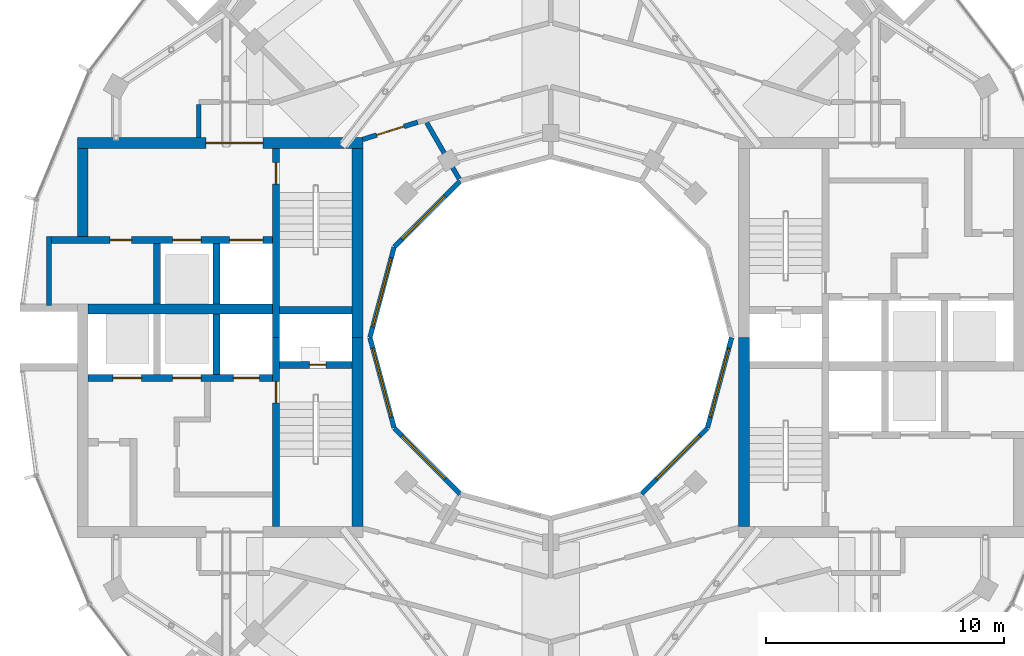
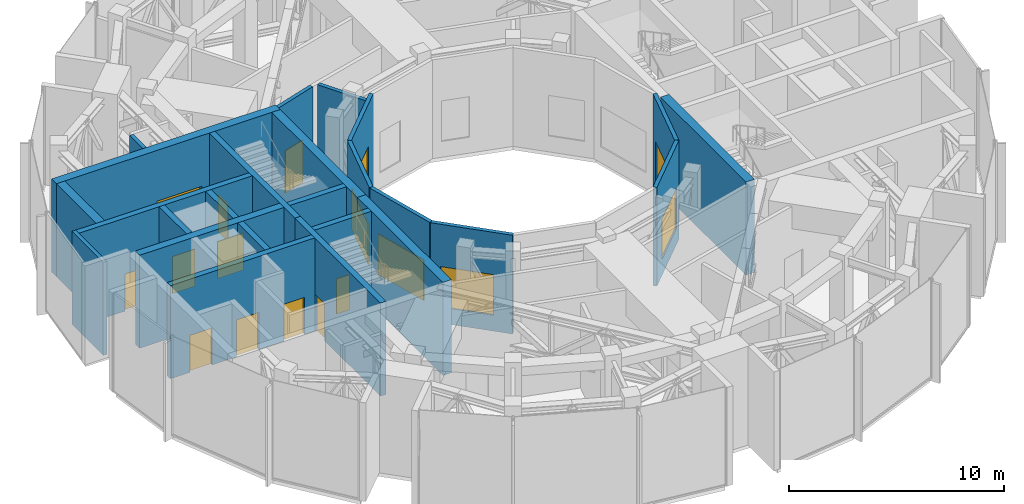
# One storey, part 12 of 17: 25 walls, 11 doors, 6 windows, 17 openings.
"""IFC4 building model written with IfcOpenShell, lengths in metres."""

import ifcopenshell
import ifcopenshell.guid

model = None  # the IFC model being written
_history = None  # IfcOwnerHistory: only IFC2X3 demands one
_inside = {}  # id of a spatial element -> (the spatial element, [elements in it])
_under = {}  # id of a project, library or spatial element -> (it, [spatial elements below it])
_declared = {}  # id of a project -> (the project, [libraries it declares])
_typed = {}  # id of a type object -> (the type object, [elements of that type])
_made_of = {}  # id of a material, layer set ... -> (it, [elements and type objects made of it])


def new_model(schema):
    """Start an empty IFC model of exactly this schema.

    Asked for "IFC4X3", IfcOpenShell would pick the latest addendum, in which some entities
    have other attributes; the version numbers below select the first issue.
    IFC2X3 requires an IfcOwnerHistory on every rooted entity: one is made here for all.
    """
    global model, _history
    if schema == "IFC4X3":
        model = ifcopenshell.file(schema_version=(4, 3, 0, 0))
    else:
        model = ifcopenshell.file(schema=schema)
    _inside.clear()
    _under.clear()
    _declared.clear()
    _typed.clear()
    _made_of.clear()
    _history = None
    if model.schema == "IFC2X3":
        org = make("IfcOrganization", Name="unknown")
        user = make(
            "IfcPersonAndOrganization",
            ThePerson=make("IfcPerson", FamilyName="unknown"),
            TheOrganization=org,
        )
        app = make(
            "IfcApplication",
            ApplicationDeveloper=org,
            Version="unknown",
            ApplicationFullName="unknown",
            ApplicationIdentifier="unknown",
        )
        _history = make(
            "IfcOwnerHistory",
            OwningUser=user,
            OwningApplication=app,
            ChangeAction="ADDED",
            CreationDate=0,
        )
    return model


def make(cls, **values):
    """One entity of the class cls with the attributes given. An attribute that is None is left unset."""
    return model.create_entity(
        cls, **{name: value for name, value in values.items() if value is not None}
    )


def rooted(cls, **values):
    """An entity with a GlobalId (a new one), such as an element, a storey or a relation."""
    return make(cls, GlobalId=ifcopenshell.guid.new(), OwnerHistory=_history, **values)


def si_unit(unit_type, name, prefix=None):
    """IfcSIUnit, for example si_unit("LENGTHUNIT", "METRE", prefix="MILLI")."""
    return make("IfcSIUnit", UnitType=unit_type, Prefix=prefix, Name=name)


def assignment(units):
    """IfcUnitAssignment: the units of a project."""
    return None if units is None else make("IfcUnitAssignment", Units=units)


def point(xyz):
    """IfcCartesianPoint."""
    return None if xyz is None else make("IfcCartesianPoint", Coordinates=xyz)


def direction(xyz):
    """IfcDirection."""
    return None if xyz is None else make("IfcDirection", DirectionRatios=xyz)


def frame(location, z_axis=None, x_axis=None):
    """IfcAxis2Placement3D, a coordinate frame: its origin and axes. An axis left out is left unset."""
    return make(
        "IfcAxis2Placement3D",
        Location=point(location),
        Axis=direction(z_axis),
        RefDirection=direction(x_axis),
    )


def frame_2d(location, x_axis=None):
    """IfcAxis2Placement2D, a coordinate frame in the plane: its origin and x axis."""
    return make(
        "IfcAxis2Placement2D", Location=point(location), RefDirection=direction(x_axis)
    )


def origin():
    """The frame at (0, 0, 0) with its axes left unset."""
    return frame((0.0, 0.0, 0.0))


def place(relative_to, where):
    """IfcLocalPlacement: puts the frame where relative to a parent placement (None: the world)."""
    return make(
        "IfcLocalPlacement", PlacementRelTo=relative_to, RelativePlacement=where
    )


def context(
    kind, dimensions, precision=None, world=None, true_north=None, identifier=None
):
    """IfcGeometricRepresentationContext, for example the 3D "Model" context."""
    return make(
        "IfcGeometricRepresentationContext",
        ContextIdentifier=identifier,
        ContextType=kind,
        CoordinateSpaceDimension=dimensions,
        Precision=precision,
        WorldCoordinateSystem=world,
        TrueNorth=true_north,
    )


def subcontext(parent, identifier, kind, view, scale=None):
    """IfcGeometricRepresentationSubContext, for example "Body" below "Model"."""
    return make(
        "IfcGeometricRepresentationSubContext",
        ContextIdentifier=identifier,
        ContextType=kind,
        ParentContext=parent,
        TargetScale=scale,
        TargetView=view,
    )


def project(units=None, contexts=None):
    """IfcProject with its units and contexts."""
    return rooted(
        "IfcProject",
        Name="project",
        RepresentationContexts=contexts,
        UnitsInContext=assignment(units),
    )


def spatial(cls, under=None, at=None, **own):
    """A site, building, storey or space (cls), placed at a placement, below another one or the project."""
    s = rooted(cls, ObjectPlacement=at, **own)
    if under is not None:
        _under.setdefault(under.id(), (under, []))[1].append(s)
    return s


def profile(cls, at=None, kind="AREA", **sizes):
    """A parametric profile (cls). Its sizes go by their IFC names, for example OverallWidth=200.0."""
    return make(cls, ProfileType=kind, Position=at, **sizes)


def rectangle(**sizes):
    """IfcRectangleProfileDef."""
    return profile("IfcRectangleProfileDef", **sizes)


def extrude(swept, where, along, depth):
    """IfcExtrudedAreaSolid: the profile swept, set in the frame where, extruded along a direction by depth."""
    return make(
        "IfcExtrudedAreaSolid",
        SweptArea=swept,
        Position=where,
        ExtrudedDirection=direction(along),
        Depth=depth,
    )


def shape(context_of_items, identifier, shape_type, items):
    """IfcShapeRepresentation: the items that make up one representation, for example the "Body"."""
    return make(
        "IfcShapeRepresentation",
        ContextOfItems=context_of_items,
        RepresentationIdentifier=identifier,
        RepresentationType=shape_type,
        Items=items,
    )


def material(Name=None, Category=None):
    """IfcMaterial."""
    return make("IfcMaterial", Name=Name, Category=Category)


def layer(
    of_material, thickness, ventilated=None, Name=None, Category=None, Priority=None
):
    """IfcMaterialLayer: one layer of a wall or slab, of a material (None: an air gap)."""
    return make(
        "IfcMaterialLayer",
        Material=of_material,
        LayerThickness=thickness,
        IsVentilated=ventilated,
        Name=Name,
        Category=Category,
        Priority=Priority,
    )


def layer_set(layers, Name=None):
    """IfcMaterialLayerSet."""
    return make("IfcMaterialLayerSet", MaterialLayers=layers, LayerSetName=Name)


def made_of(thing, what):
    """Note that an element or type object is made of a material, layer set ...; save() writes the relation."""
    if what is not None:
        _made_of.setdefault(what.id(), (what, []))[1].append(thing)
    return thing


def type_object(cls, material=None, **own):
    """A type object (cls), such as IfcWallType, which elements share."""
    return made_of(rooted(cls, **own), material)


def element(
    cls,
    number,
    at=None,
    inside=None,
    cuts=None,
    type_object=None,
    material=None,
    context=None,
    identifier="Body",
    shape_type=None,
    held_by="IfcProductDefinitionShape",
    body=None,
    shapes=None,
    **own,
):
    """One element of the class cls, such as IfcWall. Its Tag is "e" and its number.

    at: its placement. inside: the storey or other place that contains it. cuts: it is an
    opening in that element (IfcRelVoidsElement). A single representation is given by context,
    identifier, shape_type and body (its items); several are given by shapes. held_by: the class
    of the entity that holds the representations. save() writes the other relations.
    """
    e = rooted(cls, Tag="e%d" % number, ObjectPlacement=at, **own)
    if body is not None:
        shapes = [shape(context, identifier, shape_type, body)]
    if shapes is not None:
        e.Representation = make(held_by, Representations=shapes)
    if inside is not None:
        _inside.setdefault(inside.id(), (inside, []))[1].append(e)
    if cuts is not None:
        rooted(
            "IfcRelVoidsElement", RelatingBuildingElement=cuts, RelatedOpeningElement=e
        )
    if type_object is not None:
        _typed.setdefault(type_object.id(), (type_object, []))[1].append(e)
    return made_of(e, material)


def fill(opening, filler):
    """IfcRelFillsElement: the door or window that sits in an opening."""
    return rooted(
        "IfcRelFillsElement",
        RelatingOpeningElement=opening,
        RelatedBuildingElement=filler,
    )


def aggregate(whole, parts):
    """IfcRelAggregates: a whole, such as a stair, and the parts it consists of."""
    return rooted("IfcRelAggregates", RelatingObject=whole, RelatedObjects=parts)


def save(model, path):
    """Write the relations noted so far, then the file.

    IfcRelAggregates (storeys below a building ...), IfcRelContainedInSpatialStructure (elements
    in a storey), IfcRelDefinesByType, IfcRelAssociatesMaterial and IfcRelDeclares: one each for
    every whole, place, type object, material and project.
    """
    for whole, parts in _under.values():
        aggregate(whole, parts)
    for where, things in _inside.values():
        rooted(
            "IfcRelContainedInSpatialStructure",
            RelatedElements=things,
            RelatingStructure=where,
        )
    for kind, things in _typed.values():
        rooted("IfcRelDefinesByType", RelatedObjects=things, RelatingType=kind)
    for what, things in _made_of.values():
        rooted("IfcRelAssociatesMaterial", RelatedObjects=things, RelatingMaterial=what)
    for by, libraries in _declared.values():
        rooted("IfcRelDeclares", RelatingContext=by, RelatedDefinitions=libraries)
    model.write(path)


model = new_model("IFC4")

# Units and contexts
model_context = context("Model", 3, precision=1e-05, world=origin(), true_north=direction((0.0, 1.0)))
body_context = subcontext(model_context, "Body", "Model", "MODEL_VIEW")
ifc_project = project(units=[si_unit("LENGTHUNIT", "METRE"), si_unit("AREAUNIT", "SQUARE_METRE"), si_unit("VOLUMEUNIT", "CUBIC_METRE"), si_unit("PLANEANGLEUNIT", "RADIAN"), si_unit("MASSUNIT", "GRAM", prefix="KILO")], contexts=[model_context])

# Site, building, storey
site_placement = place(None, origin())
site = spatial("IfcSite", under=ifc_project, at=site_placement, CompositionType="ELEMENT")
building_placement = place(site_placement, origin())
building = spatial("IfcBuilding", under=site, at=building_placement, Name="Torre Brocal", CompositionType="ELEMENT")
storey_placement = place(building_placement, frame((0.0, 0.0, 309.300048828125)))
storey = spatial("IfcBuildingStorey", under=building, at=storey_placement, Name="L71", CompositionType="ELEMENT", Elevation=309.300048828125)

# Wall
ifc_material_1 = material(Name="Masonry block", Category="masonry")
ifc_layer_1 = layer(ifc_material_1, 0.199951171875)
ifc_layer_set_1 = layer_set([ifc_layer_1], Name="Masonry block")
wall_type_1 = type_object("IfcWallType", Name="CORE PARTITION 200", PredefinedType="PARTITIONING", material=ifc_layer_set_1)
wall_1_placement = place(storey_placement, frame((58.89990234375, 79.25, 0.0), z_axis=(0.0, 0.0, 1.0), x_axis=(0.0, -1.0, 0.0)))
element("IfcWall", 1, at=wall_1_placement, inside=storey, type_object=wall_type_1, Name="Wall CP200", PredefinedType="PARTITIONING", context=body_context, shape_type="SweptSolid", body=[
    extrude(rectangle(XDim=2.89990234375, YDim=0.199951171875, at=frame_2d((1.449951171875, 0.0))), origin(), (0.0, 0.0, 1.0), 5.280029296875),
])

# Wall, opening, door
ifc_material_2 = material(Name="Concrete C50", Category="concrete")
ifc_layer_2 = layer(ifc_material_2, 0.300048828125)
ifc_layer_set_2 = layer_set([ifc_layer_2], Name="Concrete C50")
wall_type_2 = type_object("IfcWallType", Name="CORE WALL 300 C50", PredefinedType="SHEAR", material=ifc_layer_set_2)
wall_2_placement = place(storey_placement, frame((68.449951171875, 75.0, 0.0), z_axis=(0.0, 0.0, 1.0), x_axis=(0.0, -1.0, 0.0)))
wall_2 = element("IfcWall", 2, at=wall_2_placement, inside=storey, type_object=wall_type_2, Name="Wall CW300-50", PredefinedType="SHEAR", context=body_context, shape_type="SweptSolid", body=[
    extrude(rectangle(XDim=7.949951171875, YDim=0.300048828125, at=frame_2d((3.97509765625, 0.0))), origin(), (0.0, 0.0, 1.0), 5.280029296875),
])
opening_1_placement = place(wall_2_placement, frame((1.85009765625, 0.0, 0.0)))
opening_1 = element("IfcOpeningElement", 3, at=opening_1_placement, cuts=wall_2, Name="Opening W-D02", PredefinedType="OPENING", context=body_context, shape_type="SweptSolid", body=[
    extrude(rectangle(XDim=0.89990234375, YDim=2.10009765625, at=frame_2d((0.449951171875, 1.050048828125))), frame((0.0, 0.159912109375, 0.0), z_axis=(0.0, -1.0, 0.0), x_axis=(1.0, 0.0, 0.0)), (0.0, 0.0, 1.0), 0.320068359375),
])
ifc_material_3 = material(Name="Steel A653", Category="steel")
door_type_1 = type_object("IfcDoorType", Name="STAIR DOOR FD120 900X2100", OperationType="SINGLE_SWING_RIGHT", PredefinedType="DOOR", material=ifc_material_3)
door_1_placement = place(opening_1_placement, origin())
door_1 = element("IfcDoor", 4, at=door_1_placement, inside=storey, type_object=door_type_1, Name="Door W-D02", OperationType="SINGLE_SWING_LEFT", OverallHeight=2.10009765625, OverallWidth=0.89990234375, PredefinedType="DOOR", context=body_context, shape_type="SweptSolid", body=[
    extrude(rectangle(XDim=0.89990234375, YDim=2.10009765625, at=frame_2d((0.449951171875, 1.050048828125))), frame((0.0, 0.02490234375, 0.0), z_axis=(0.0, -1.0, 0.0), x_axis=(1.0, 0.0, 0.0)), (0.0, 0.0, 1.0), 0.050048828125),
])
fill(opening_1, door_1)

wall_3_placement = place(storey_placement, frame((68.449951171875, 82.949951171875, 0.0), z_axis=(0.0, 0.0, 1.0), x_axis=(0.0, -1.0, 0.0)))
wall_3 = element("IfcWall", 5, at=wall_3_placement, inside=storey, type_object=wall_type_2, Name="Wall CW300-50", PredefinedType="SHEAR", context=body_context, shape_type="SweptSolid", body=[
    extrude(rectangle(XDim=7.949951171875, YDim=0.300048828125, at=frame_2d((3.97509765625, 0.0))), origin(), (0.0, 0.0, 1.0), 5.280029296875),
])
opening_2_placement = place(wall_3_placement, frame((0.60009765625, 0.0, 0.0)))
opening_2 = element("IfcOpeningElement", 6, at=opening_2_placement, cuts=wall_3, Name="Opening W-D03", PredefinedType="OPENING", context=body_context, shape_type="SweptSolid", body=[
    extrude(rectangle(XDim=0.89990234375, YDim=2.10009765625, at=frame_2d((0.449951171875, 1.050048828125))), frame((0.0, 0.159912109375, 0.0), z_axis=(0.0, -1.0, 0.0), x_axis=(1.0, 0.0, 0.0)), (0.0, 0.0, 1.0), 0.320068359375),
])
door_2_placement = place(opening_2_placement, origin())
door_2 = element("IfcDoor", 7, at=door_2_placement, inside=storey, type_object=door_type_1, Name="Door W-D03", OperationType="SINGLE_SWING_LEFT", OverallHeight=2.10009765625, OverallWidth=0.89990234375, PredefinedType="DOOR", context=body_context, shape_type="SweptSolid", body=[
    extrude(rectangle(XDim=0.89990234375, YDim=2.10009765625, at=frame_2d((0.449951171875, 1.050048828125))), frame((0.0, 0.02490234375, 0.0), z_axis=(0.0, -1.0, 0.0), x_axis=(1.0, 0.0, 0.0)), (0.0, 0.0, 1.0), 0.050048828125),
])
fill(opening_2, door_2)

wall_4_placement = place(storey_placement, frame((71.64990234375, 73.85009765625, 0.0), z_axis=(0.0, 0.0, 1.0), x_axis=(-1.0, 0.0, 0.0)))
wall_4 = element("IfcWall", 8, at=wall_4_placement, inside=storey, type_object=wall_type_2, Name="Wall CW300-50", PredefinedType="SHEAR", context=body_context, shape_type="SweptSolid", body=[
    extrude(rectangle(XDim=3.0498046875, YDim=0.300048828125, at=frame_2d((1.52490234375, 0.0))), origin(), (0.0, 0.0, 1.0), 5.280029296875),
])
opening_3_placement = place(wall_4_placement, frame((1.10009765625, 0.0, 0.0)))
opening_3 = element("IfcOpeningElement", 9, at=opening_3_placement, cuts=wall_4, Name="Opening W-D01", PredefinedType="OPENING", context=body_context, shape_type="SweptSolid", body=[
    extrude(rectangle(XDim=0.699951171875, YDim=2.0, at=frame_2d((0.35009765625, 1.0))), frame((0.0, 0.159912109375, 0.0), z_axis=(0.0, -1.0, 0.0), x_axis=(1.0, 0.0, 0.0)), (0.0, 0.0, 1.0), 0.320068359375),
])
ifc_material_4 = material(Name="Steel A653", Category="steel")
door_type_2 = type_object("IfcDoorType", Name="RISER DOOR FD120 700X2000", OperationType="SINGLE_SWING_LEFT", PredefinedType="DOOR", material=ifc_material_4)
door_3_placement = place(opening_3_placement, frame((0.699951171875, 0.0, 0.0), z_axis=(0.0, 0.0, 1.0), x_axis=(-1.0, 0.0, 0.0)))
door_3 = element("IfcDoor", 10, at=door_3_placement, inside=storey, type_object=door_type_2, Name="Door W-D01", OperationType="SINGLE_SWING_RIGHT", OverallHeight=2.0, OverallWidth=0.699951171875, PredefinedType="DOOR", context=body_context, shape_type="SweptSolid", body=[
    extrude(rectangle(XDim=0.699951171875, YDim=2.0, at=frame_2d((0.35009765625, 1.0))), frame((0.0, 0.02490234375, 0.0), z_axis=(0.0, -1.0, 0.0), x_axis=(1.0, 0.0, 0.0)), (0.0, 0.0, 1.0), 0.050048828125),
])
fill(opening_3, door_3)

# Wall
wall_5_placement = place(storey_placement, frame((71.64990234375, 76.14990234375, 0.0), z_axis=(0.0, 0.0, 1.0), x_axis=(-1.0, 0.0, 0.0)))
element("IfcWall", 11, at=wall_5_placement, inside=storey, type_object=wall_type_2, Name="Wall CW300-50", PredefinedType="SHEAR", context=body_context, shape_type="SweptSolid", body=[
    extrude(rectangle(XDim=3.0498046875, YDim=0.300048828125, at=frame_2d((1.52490234375, 0.0))), origin(), (0.0, 0.0, 1.0), 5.280029296875),
])

# Wall, openings, doors
wall_6_placement = place(storey_placement, frame((68.300048828125, 73.300048828125, 0.0), z_axis=(0.0, 0.0, 1.0), x_axis=(-1.0, 0.0, 0.0)))
wall_6 = element("IfcWall", 12, at=wall_6_placement, inside=storey, type_object=wall_type_2, Name="Wall CW300-50", PredefinedType="SHEAR", context=body_context, shape_type="SweptSolid", body=[
    extrude(rectangle(XDim=7.75, YDim=0.300048828125, at=frame_2d((3.875, 0.0))), origin(), (0.0, 0.0, 1.0), 5.280029296875),
])
opening_4_placement = place(wall_6_placement, frame((0.550048828125, 0.0, 0.0)))
opening_4 = element("IfcOpeningElement", 13, at=opening_4_placement, cuts=wall_6, Name="Opening LD", PredefinedType="OPENING", context=body_context, shape_type="SweptSolid", body=[
    extrude(rectangle(XDim=1.10009765625, YDim=2.10009765625, at=frame_2d((0.550048828125, 1.050048828125))), frame((0.0, 0.159912109375, 0.0), z_axis=(0.0, -1.0, 0.0), x_axis=(1.0, 0.0, 0.0)), (0.0, 0.0, 1.0), 0.320068359375),
])
opening_5_placement = place(wall_6_placement, frame((3.0, 0.0, 0.0)))
opening_5 = element("IfcOpeningElement", 14, at=opening_5_placement, cuts=wall_6, Name="Opening LD12", PredefinedType="OPENING", context=body_context, shape_type="SweptSolid", body=[
    extrude(rectangle(XDim=1.199951171875, YDim=2.10009765625, at=frame_2d((0.60009765625, 1.050048828125))), frame((0.0, 0.159912109375, 0.0), z_axis=(0.0, -1.0, 0.0), x_axis=(1.0, 0.0, 0.0)), (0.0, 0.0, 1.0), 0.320068359375),
])
opening_6_placement = place(wall_6_placement, frame((5.5, 0.0, 0.0)))
opening_6 = element("IfcOpeningElement", 15, at=opening_6_placement, cuts=wall_6, Name="Opening LD12", PredefinedType="OPENING", context=body_context, shape_type="SweptSolid", body=[
    extrude(rectangle(XDim=1.199951171875, YDim=2.10009765625, at=frame_2d((0.60009765625, 1.050048828125))), frame((0.0, 0.159912109375, 0.0), z_axis=(0.0, -1.0, 0.0), x_axis=(1.0, 0.0, 0.0)), (0.0, 0.0, 1.0), 0.320068359375),
])
ifc_material_5 = material(Name="Stainless steel AISI 316", Category="steel")
door_type_3 = type_object("IfcDoorType", Name="LIFT LANDING DOOR 1100X2100", OperationType="DOUBLE_DOOR_SLIDING", PredefinedType="DOOR", material=ifc_material_5)
door_4_placement = place(opening_4_placement, origin())
door_4 = element("IfcDoor", 16, at=door_4_placement, inside=storey, type_object=door_type_3, Name="Door LD", OperationType="DOUBLE_DOOR_SLIDING", OverallHeight=2.10009765625, OverallWidth=1.10009765625, PredefinedType="DOOR", context=body_context, shape_type="SweptSolid", body=[
    extrude(rectangle(XDim=1.10009765625, YDim=2.10009765625, at=frame_2d((0.550048828125, 1.050048828125))), frame((0.0, 0.02490234375, 0.0), z_axis=(0.0, -1.0, 0.0), x_axis=(1.0, 0.0, 0.0)), (0.0, 0.0, 1.0), 0.050048828125),
])
fill(opening_4, door_4)
ifc_material_6 = material(Name="Stainless steel AISI 316", Category="steel")
door_type_4 = type_object("IfcDoorType", Name="LIFT LANDING DOOR 1200X2100", OperationType="DOUBLE_DOOR_SLIDING", PredefinedType="DOOR", material=ifc_material_6)
door_5_placement = place(opening_5_placement, origin())
door_5 = element("IfcDoor", 17, at=door_5_placement, inside=storey, type_object=door_type_4, Name="Door LD12", OperationType="DOUBLE_DOOR_SLIDING", OverallHeight=2.10009765625, OverallWidth=1.199951171875, PredefinedType="DOOR", context=body_context, shape_type="SweptSolid", body=[
    extrude(rectangle(XDim=1.199951171875, YDim=2.10009765625, at=frame_2d((0.60009765625, 1.050048828125))), frame((0.0, 0.02490234375, 0.0), z_axis=(0.0, -1.0, 0.0), x_axis=(1.0, 0.0, 0.0)), (0.0, 0.0, 1.0), 0.050048828125),
])
fill(opening_5, door_5)
door_6_placement = place(opening_6_placement, origin())
door_6 = element("IfcDoor", 18, at=door_6_placement, inside=storey, type_object=door_type_4, Name="Door LD12", OperationType="DOUBLE_DOOR_SLIDING", OverallHeight=2.10009765625, OverallWidth=1.199951171875, PredefinedType="DOOR", context=body_context, shape_type="SweptSolid", body=[
    extrude(rectangle(XDim=1.199951171875, YDim=2.10009765625, at=frame_2d((0.60009765625, 1.050048828125))), frame((0.0, 0.02490234375, 0.0), z_axis=(0.0, -1.0, 0.0), x_axis=(1.0, 0.0, 0.0)), (0.0, 0.0, 1.0), 0.050048828125),
])
fill(opening_6, door_6)

wall_7_placement = place(storey_placement, frame((68.300048828125, 79.10009765625, 0.0), z_axis=(0.0, 0.0, 1.0), x_axis=(-1.0, 0.0, 0.0)))
wall_7 = element("IfcWall", 19, at=wall_7_placement, inside=storey, type_object=wall_type_2, Name="Wall CW300-50", PredefinedType="SHEAR", context=body_context, shape_type="SweptSolid", body=[
    extrude(rectangle(XDim=9.300048828125, YDim=0.300048828125, at=frame_2d((4.64990234375, 0.0))), origin(), (0.0, 0.0, 1.0), 5.280029296875),
])
opening_7_placement = place(wall_7_placement, frame((0.39990234375, 0.0, 0.0)))
opening_7 = element("IfcOpeningElement", 20, at=opening_7_placement, cuts=wall_7, Name="Opening LD14", PredefinedType="OPENING", context=body_context, shape_type="SweptSolid", body=[
    extrude(rectangle(XDim=1.39990234375, YDim=2.10009765625, at=frame_2d((0.699951171875, 1.050048828125))), frame((0.0, 0.159912109375, 0.0), z_axis=(0.0, -1.0, 0.0), x_axis=(1.0, 0.0, 0.0)), (0.0, 0.0, 1.0), 0.320068359375),
])
opening_8_placement = place(wall_7_placement, frame((3.0, 0.0, 0.0)))
opening_8 = element("IfcOpeningElement", 21, at=opening_8_placement, cuts=wall_7, Name="Opening LD12", PredefinedType="OPENING", context=body_context, shape_type="SweptSolid", body=[
    extrude(rectangle(XDim=1.199951171875, YDim=2.10009765625, at=frame_2d((0.60009765625, 1.050048828125))), frame((0.0, 0.159912109375, 0.0), z_axis=(0.0, -1.0, 0.0), x_axis=(1.0, 0.0, 0.0)), (0.0, 0.0, 1.0), 0.320068359375),
])
opening_9_placement = place(wall_7_placement, frame((5.925048828125, 0.0, 0.0)))
opening_9 = element("IfcOpeningElement", 22, at=opening_9_placement, cuts=wall_7, Name="Opening W-D04", PredefinedType="OPENING", context=body_context, shape_type="SweptSolid", body=[
    extrude(rectangle(XDim=0.89990234375, YDim=2.10009765625, at=frame_2d((0.449951171875, 1.050048828125))), frame((0.0, 0.159912109375, 0.0), z_axis=(0.0, -1.0, 0.0), x_axis=(1.0, 0.0, 0.0)), (0.0, 0.0, 1.0), 0.320068359375),
])
door_7_placement = place(opening_8_placement, origin())
door_7 = element("IfcDoor", 23, at=door_7_placement, inside=storey, type_object=door_type_4, Name="Door LD12", OperationType="DOUBLE_DOOR_SLIDING", OverallHeight=2.10009765625, OverallWidth=1.199951171875, PredefinedType="DOOR", context=body_context, shape_type="SweptSolid", body=[
    extrude(rectangle(XDim=1.199951171875, YDim=2.10009765625, at=frame_2d((0.60009765625, 1.050048828125))), frame((0.0, 0.02490234375, 0.0), z_axis=(0.0, -1.0, 0.0), x_axis=(1.0, 0.0, 0.0)), (0.0, 0.0, 1.0), 0.050048828125),
])
fill(opening_8, door_7)
ifc_material_7 = material(Name="Stainless steel AISI 316", Category="steel")
door_type_5 = type_object("IfcDoorType", Name="LIFT LANDING DOOR 1400X2100", OperationType="DOUBLE_DOOR_SLIDING", PredefinedType="DOOR", material=ifc_material_7)
door_8_placement = place(opening_7_placement, origin())
door_8 = element("IfcDoor", 24, at=door_8_placement, inside=storey, type_object=door_type_5, Name="Door LD14", OperationType="DOUBLE_DOOR_SLIDING", OverallHeight=2.10009765625, OverallWidth=1.39990234375, PredefinedType="DOOR", context=body_context, shape_type="SweptSolid", body=[
    extrude(rectangle(XDim=1.39990234375, YDim=2.10009765625, at=frame_2d((0.699951171875, 1.050048828125))), frame((0.0, 0.02490234375, 0.0), z_axis=(0.0, -1.0, 0.0), x_axis=(1.0, 0.0, 0.0)), (0.0, 0.0, 1.0), 0.050048828125),
])
fill(opening_7, door_8)
ifc_material_8 = material(Name="Steel A653", Category="steel")
door_type_6 = type_object("IfcDoorType", Name="ROOM DOOR FD30S 900X2100", OperationType="SINGLE_SWING_LEFT", PredefinedType="DOOR", material=ifc_material_8)
door_9_placement = place(opening_9_placement, origin())
door_9 = element("IfcDoor", 25, at=door_9_placement, inside=storey, type_object=door_type_6, Name="Door W-D04", OperationType="SINGLE_SWING_LEFT", OverallHeight=2.10009765625, OverallWidth=0.89990234375, PredefinedType="DOOR", context=body_context, shape_type="SweptSolid", body=[
    extrude(rectangle(XDim=0.89990234375, YDim=2.10009765625, at=frame_2d((0.449951171875, 1.050048828125))), frame((0.0, 0.02490234375, 0.0), z_axis=(0.0, -1.0, 0.0), x_axis=(1.0, 0.0, 0.0)), (0.0, 0.0, 1.0), 0.050048828125),
])
fill(opening_9, door_9)

# Walls
for number, where, z_axis, x_axis, name in (
    (26, (65.949951171875, 76.0, 0.0), (0.0, 0.0, 1.0), (0.0, -1.0, 0.0), "Wall CW300-50"),
    (27, (65.949951171875, 78.949951171875, 0.0), (0.0, 0.0, 1.0), (0.0, -1.0, 0.0), "Wall CW300-50"),
    (28, (63.449951171875, 78.949951171875, 0.0), (0.0, 0.0, 1.0), (0.0, -1.0, 0.0), "Wall CW300-50"),
):
    element("IfcWall", number, at=place(storey_placement, frame(where, z_axis=z_axis, x_axis=x_axis)), inside=storey, type_object=wall_type_2, Name=name, PredefinedType="SHEAR", context=body_context, shape_type="SweptSolid", body=[
        extrude(rectangle(XDim=2.550048828125, YDim=0.300048828125, at=frame_2d((1.27490234375, 0.0))), origin(), (0.0, 0.0, 1.0), 5.280029296875),
    ])
ifc_material_9 = material(Name="Concrete C50", Category="concrete")
ifc_layer_3 = layer(ifc_material_9, 0.39990234375)
ifc_layer_set_3 = layer_set([ifc_layer_3], Name="Concrete C50")
wall_type_3 = type_object("IfcWallType", Name="CORE WALL 400 C50", PredefinedType="SHEAR", material=ifc_layer_set_3)
wall_8_placement = place(storey_placement, frame((68.300048828125, 76.199951171875, 0.0), z_axis=(0.0, 0.0, 1.0), x_axis=(-1.0, 0.0, 0.0)))
element("IfcWall", 29, at=wall_8_placement, inside=storey, type_object=wall_type_3, Name="Wall CW400-50", PredefinedType="SHEAR", context=body_context, shape_type="SweptSolid", body=[
    extrude(rectangle(XDim=7.75, YDim=0.39990234375, at=frame_2d((3.875, 0.0))), origin(), (0.0, 0.0, 1.0), 5.280029296875),
])
ifc_material_10 = material(Name="Concrete C50", Category="concrete")
ifc_layer_4 = layer(ifc_material_10, 0.449951171875)
ifc_layer_set_4 = layer_set([ifc_layer_4], Name="Concrete C50")
wall_type_4 = type_object("IfcWallType", Name="CORE WALL 450 C50", PredefinedType="SHEAR", material=ifc_layer_set_4)
wall_9_placement = place(storey_placement, frame((88.125, 67.050048828125, 0.0), z_axis=(0.0, 0.0, 1.0), x_axis=(0.0, 1.0, 0.0)))
element("IfcWall", 30, at=wall_9_placement, inside=storey, type_object=wall_type_4, Name="Wall CW450-50", PredefinedType="SHEAR", context=body_context, shape_type="SweptSolid", body=[
    extrude(rectangle(XDim=7.949951171875, YDim=0.449951171875, at=frame_2d((3.97509765625, 0.0))), origin(), (0.0, 0.0, 1.0), 5.280029296875),
])

# Wall, opening, door
wall_10_placement = place(storey_placement, frame((72.10009765625, 83.175048828125, 0.0), z_axis=(0.0, 0.0, 1.0), x_axis=(-1.0, 0.0, 0.0)))
wall_10 = element("IfcWall", 31, at=wall_10_placement, inside=storey, type_object=wall_type_4, Name="Wall CW450-50", PredefinedType="SHEAR", context=body_context, shape_type="SweptSolid", body=[
    extrude(rectangle(XDim=12.0, YDim=0.449951171875, at=frame_2d((6.0, 0.0))), origin(), (0.0, 0.0, 1.0), 5.280029296875),
])
opening_10_placement = place(wall_10_placement, frame((4.199951171875, 0.0, 0.0)))
opening_10 = element("IfcOpeningElement", 32, at=opening_10_placement, cuts=wall_10, Name="Opening W-D27", PredefinedType="OPENING", context=body_context, shape_type="SweptSolid", body=[
    extrude(rectangle(XDim=2.39990234375, YDim=2.39990234375, at=frame_2d((1.199951171875, 1.199951171875))), frame((0.0, 0.23486328125, 0.0), z_axis=(0.0, -1.0, 0.0), x_axis=(1.0, 0.0, 0.0)), (0.0, 0.0, 1.0), 0.469970703125),
])
ifc_material_11 = material(Name="Steel A653", Category="steel")
door_type_7 = type_object("IfcDoorType", Name="DOUBLE FIRE DOOR FD90 2400X2400", OperationType="DOUBLE_DOOR_SINGLE_SWING", PredefinedType="DOOR", material=ifc_material_11)
door_10_placement = place(opening_10_placement, origin())
door_10 = element("IfcDoor", 33, at=door_10_placement, inside=storey, type_object=door_type_7, Name="Door W-D27", OperationType="DOUBLE_DOOR_SINGLE_SWING", OverallHeight=2.39990234375, OverallWidth=2.39990234375, PredefinedType="DOOR", context=body_context, shape_type="SweptSolid", body=[
    extrude(rectangle(XDim=2.39990234375, YDim=2.39990234375, at=frame_2d((1.199951171875, 1.199951171875))), frame((0.0, 0.02490234375, 0.0), z_axis=(0.0, -1.0, 0.0), x_axis=(1.0, 0.0, 0.0)), (0.0, 0.0, 1.0), 0.050048828125),
])
fill(opening_10, door_10)

# Walls
for number, where, z_axis, x_axis, name in (
    (34, (71.875, 75.0, 0.0), (0.0, 0.0, 1.0), (0.0, -1.0, 0.0), "Wall CW450-50"),
    (35, (71.875, 82.949951171875, 0.0), (0.0, 0.0, 1.0), (0.0, -1.0, 0.0), "Wall CW450-50"),
):
    element("IfcWall", number, at=place(storey_placement, frame(where, z_axis=z_axis, x_axis=x_axis)), inside=storey, type_object=wall_type_4, Name=name, PredefinedType="SHEAR", context=body_context, shape_type="SweptSolid", body=[
        extrude(rectangle(XDim=7.949951171875, YDim=0.449951171875, at=frame_2d((3.97509765625, 0.0))), origin(), (0.0, 0.0, 1.0), 5.280029296875),
    ])
wall_11_placement = place(storey_placement, frame((60.324951171875, 82.949951171875, 0.0), z_axis=(0.0, 0.0, 1.0), x_axis=(0.0, -1.0, 0.0)))
element("IfcWall", 36, at=wall_11_placement, inside=storey, type_object=wall_type_4, Name="Wall CW450-50", PredefinedType="SHEAR", context=body_context, shape_type="SweptSolid", body=[
    extrude(rectangle(XDim=3.699951171875, YDim=0.449951171875, at=frame_2d((1.85009765625, 0.0))), origin(), (0.0, 0.0, 1.0), 5.280029296875),
])
ifc_material_12 = material(Name="Masonry block", Category="masonry")
ifc_layer_5 = layer(ifc_material_12, 0.199951171875)
ifc_layer_set_5 = layer_set([ifc_layer_5], Name="Masonry block")
wall_type_5 = type_object("IfcWallType", Name="PARTITION 200 EI120", PredefinedType="PARTITIONING", material=ifc_layer_set_5)
wall_12_placement = place(storey_placement, frame((65.199951171875, 83.40087890625, 0.0), z_axis=(0.0, 0.0, 1.0), x_axis=(0.0, 1.0, 0.0)))
element("IfcWall", 37, at=wall_12_placement, inside=storey, type_object=wall_type_5, Name="PLANT ROOM WALL", PredefinedType="PARTITIONING", context=body_context, shape_type="SweptSolid", body=[
    extrude(rectangle(XDim=1.399169921875, YDim=0.199951171875, at=frame_2d((0.69970703125, 0.0))), origin(), (0.0, 0.0, 1.0), 5.14990234375),
])

# Wall, opening, door
wall_13_placement = place(storey_placement, frame((72.10009765625, 83.33203125, 0.0), z_axis=(0.0, 0.0, 1.0), x_axis=(0.954233106619, 0.299063836383, 0.0)))
wall_13 = element("IfcWall", 38, at=wall_13_placement, inside=storey, type_object=wall_type_5, Name="PLANT ROOM WALL", PredefinedType="PARTITIONING", context=body_context, shape_type="SweptSolid", body=[
    extrude(rectangle(XDim=2.4140625, YDim=0.199951171875, at=frame_2d((1.20703125, 0.0))), origin(), (0.0, 0.0, 1.0), 5.14990234375),
])
opening_11_placement = place(wall_13_placement, frame((0.612060546875, 0.0, 0.0)))
opening_11 = element("IfcOpeningElement", 39, at=opening_11_placement, cuts=wall_13, Name="Opening X3-D10", PredefinedType="OPENING", context=body_context, shape_type="SweptSolid", body=[
    extrude(rectangle(XDim=1.199951171875, YDim=2.39990234375, at=frame_2d((0.60009765625, 1.199951171875))), frame((0.0, 0.10986328125, 0.0), z_axis=(0.0, -1.0, 0.0), x_axis=(1.0, 0.0, 0.0)), (0.0, 0.0, 1.0), 0.219970703125),
])
ifc_material_13 = material(Name="Steel A653", Category="steel")
door_type_8 = type_object("IfcDoorType", Name="PLANT DOOR FD90 1200X2400", OperationType="SINGLE_SWING_RIGHT", PredefinedType="DOOR", material=ifc_material_13)
door_11_placement = place(opening_11_placement, frame((1.199951171875, 0.0, 0.0), z_axis=(0.0, 0.0, 1.0), x_axis=(-1.0, 0.0, 0.0)))
door_11 = element("IfcDoor", 40, at=door_11_placement, inside=storey, type_object=door_type_8, Name="X3-D10", OperationType="SINGLE_SWING_RIGHT", OverallHeight=2.39990234375, OverallWidth=1.199951171875, PredefinedType="DOOR", context=body_context, shape_type="SweptSolid", body=[
    extrude(rectangle(XDim=1.199951171875, YDim=2.39990234375, at=frame_2d((0.60009765625, 1.199951171875))), frame((0.0, 0.02490234375, 0.0), z_axis=(0.0, -1.0, 0.0), x_axis=(1.0, 0.0, 0.0)), (0.0, 0.0, 1.0), 0.050048828125),
])
fill(opening_11, door_11)

# Wall
wall_14_placement = place(storey_placement, frame((74.78759765625, 84.02734375, 0.0), z_axis=(0.0, 0.0, 1.0), x_axis=(0.49997314572, -0.866040907555, 0.0)))
element("IfcWall", 41, at=wall_14_placement, inside=storey, type_object=wall_type_5, Name="PLANT ROOM WALL", PredefinedType="PARTITIONING", context=body_context, shape_type="SweptSolid", body=[
    extrude(rectangle(XDim=2.725830078125, YDim=0.199951171875, at=frame_2d((1.36279296875, 0.0))), origin(), (0.0, 0.0, 1.0), 5.14990234375),
])

# Wall, opening, window
ifc_material_14 = material(Name="Concrete C40", Category="concrete")
ifc_layer_6 = layer(ifc_material_14, 0.199951171875)
ifc_layer_set_6 = layer_set([ifc_layer_6], Name="Concrete C40")
wall_type_6 = type_object("IfcWallType", Name="WELL FACADE WALL 200", PredefinedType="NOTDEFINED", material=ifc_layer_set_6)
wall_15_placement = place(storey_placement, frame((76.1982421875, 81.5849609375, 0.0), z_axis=(0.0, 0.0, 1.0), x_axis=(-0.707106781187, -0.707106781187, 0.0)))
wall_15 = element("IfcWall", 42, at=wall_15_placement, inside=storey, type_object=wall_type_6, Name="WELL FACADE WALL", PredefinedType="NOTDEFINED", context=body_context, shape_type="SweptSolid", body=[
    extrude(rectangle(XDim=3.93603515625, YDim=0.199951171875, at=frame_2d((1.968017578125, 0.0))), origin(), (0.0, 0.0, 1.0), 5.599853515625),
])
opening_12_placement = place(wall_15_placement, frame((0.91796875, 0.0, 0.89990234375)))
opening_12 = element("IfcOpeningElement", 43, at=opening_12_placement, cuts=wall_15, Name="Opening W12", PredefinedType="OPENING", context=body_context, shape_type="SweptSolid", body=[
    extrude(rectangle(XDim=2.550048828125, YDim=2.300048828125, at=frame_2d((1.27490234375, 1.14990234375))), frame((0.0, 0.10986328125, 0.0), z_axis=(0.0, -1.0, 0.0), x_axis=(1.0, 0.0, 0.0)), (0.0, 0.0, 1.0), 0.219970703125),
])
ifc_material_15 = material(Name="Aluminium and glass", Category="aluminium")
window_type_1 = type_object("IfcWindowType", Name="WELL WINDOW 2550X2300 BELT", PartitioningType="SINGLE_PANEL", PredefinedType="WINDOW", material=ifc_material_15)
window_1_placement = place(opening_12_placement, origin())
window_1 = element("IfcWindow", 44, at=window_1_placement, inside=storey, type_object=window_type_1, Name="WELL WINDOW 2550X2300 BELT", OverallHeight=2.300048828125, OverallWidth=2.550048828125, PartitioningType="SINGLE_PANEL", PredefinedType="WINDOW", context=body_context, shape_type="SweptSolid", body=[
    extrude(rectangle(XDim=2.550048828125, YDim=2.300048828125, at=frame_2d((1.27490234375, 1.14990234375))), frame((0.0, 0.030029296875, 0.0), z_axis=(0.0, -1.0, 0.0), x_axis=(1.0, 0.0, 0.0)), (0.0, 0.0, 1.0), 0.06005859375),
])
fill(opening_12, window_1)

wall_16_placement = place(storey_placement, frame((73.4150390625, 78.8017578125, 0.0), z_axis=(0.0, 0.0, 1.0), x_axis=(-0.258789828301, -0.965933654434, 0.0)))
wall_16 = element("IfcWall", 45, at=wall_16_placement, inside=storey, type_object=wall_type_6, Name="WELL FACADE WALL", PredefinedType="NOTDEFINED", context=body_context, shape_type="SweptSolid", body=[
    extrude(rectangle(XDim=3.935791015625, YDim=0.199951171875, at=frame_2d((1.9677734375, 0.0))), origin(), (0.0, 0.0, 1.0), 5.599853515625),
])
opening_13_placement = place(wall_16_placement, frame((0.468017578125, 0.0, 0.89990234375)))
opening_13 = element("IfcOpeningElement", 46, at=opening_13_placement, cuts=wall_16, Name="Opening W1", PredefinedType="OPENING", context=body_context, shape_type="SweptSolid", body=[
    extrude(rectangle(XDim=3.0, YDim=2.300048828125, at=frame_2d((1.5, 1.14990234375))), frame((0.0, 0.10986328125, 0.0), z_axis=(0.0, -1.0, 0.0), x_axis=(1.0, 0.0, 0.0)), (0.0, 0.0, 1.0), 0.219970703125),
])
ifc_material_16 = material(Name="Aluminium and glass", Category="aluminium")
window_type_2 = type_object("IfcWindowType", Name="WELL WINDOW 3000X2300", PartitioningType="SINGLE_PANEL", PredefinedType="WINDOW", material=ifc_material_16)
window_2_placement = place(opening_13_placement, origin())
window_2 = element("IfcWindow", 47, at=window_2_placement, inside=storey, type_object=window_type_2, Name="WELL WINDOW 3000X2300", OverallHeight=2.300048828125, OverallWidth=3.0, PartitioningType="SINGLE_PANEL", PredefinedType="WINDOW", context=body_context, shape_type="SweptSolid", body=[
    extrude(rectangle(XDim=3.0, YDim=2.300048828125, at=frame_2d((1.5, 1.14990234375))), frame((0.0, 0.030029296875, 0.0), z_axis=(0.0, -1.0, 0.0), x_axis=(1.0, 0.0, 0.0)), (0.0, 0.0, 1.0), 0.06005859375),
])
fill(opening_13, window_2)

wall_17_placement = place(storey_placement, frame((72.396484375, 75.0, 0.0), z_axis=(0.0, 0.0, 1.0), x_axis=(0.258789828301, -0.965933654434, 0.0)))
wall_17 = element("IfcWall", 48, at=wall_17_placement, inside=storey, type_object=wall_type_6, Name="WELL FACADE WALL", PredefinedType="NOTDEFINED", context=body_context, shape_type="SweptSolid", body=[
    extrude(rectangle(XDim=3.935791015625, YDim=0.199951171875, at=frame_2d((1.9677734375, 0.0))), origin(), (0.0, 0.0, 1.0), 5.599853515625),
])
opening_14_placement = place(wall_17_placement, frame((0.468017578125, 0.0, 0.89990234375)))
opening_14 = element("IfcOpeningElement", 49, at=opening_14_placement, cuts=wall_17, Name="Opening W1", PredefinedType="OPENING", context=body_context, shape_type="SweptSolid", body=[
    extrude(rectangle(XDim=3.0, YDim=2.300048828125, at=frame_2d((1.5, 1.14990234375))), frame((0.0, 0.10986328125, 0.0), z_axis=(0.0, -1.0, 0.0), x_axis=(1.0, 0.0, 0.0)), (0.0, 0.0, 1.0), 0.219970703125),
])
window_3_placement = place(opening_14_placement, origin())
window_3 = element("IfcWindow", 50, at=window_3_placement, inside=storey, type_object=window_type_2, Name="WELL WINDOW 3000X2300", OverallHeight=2.300048828125, OverallWidth=3.0, PartitioningType="SINGLE_PANEL", PredefinedType="WINDOW", context=body_context, shape_type="SweptSolid", body=[
    extrude(rectangle(XDim=3.0, YDim=2.300048828125, at=frame_2d((1.5, 1.14990234375))), frame((0.0, 0.030029296875, 0.0), z_axis=(0.0, -1.0, 0.0), x_axis=(1.0, 0.0, 0.0)), (0.0, 0.0, 1.0), 0.06005859375),
])
fill(opening_14, window_3)

wall_18_placement = place(storey_placement, frame((73.4150390625, 71.1982421875, 0.0), z_axis=(0.0, 0.0, 1.0), x_axis=(0.707106781187, -0.707106781187, 0.0)))
wall_18 = element("IfcWall", 51, at=wall_18_placement, inside=storey, type_object=wall_type_6, Name="WELL FACADE WALL", PredefinedType="NOTDEFINED", context=body_context, shape_type="SweptSolid", body=[
    extrude(rectangle(XDim=3.93603515625, YDim=0.199951171875, at=frame_2d((1.968017578125, 0.0))), origin(), (0.0, 0.0, 1.0), 5.599853515625),
])
opening_15_placement = place(wall_18_placement, frame((0.468017578125, 0.0, 0.89990234375)))
opening_15 = element("IfcOpeningElement", 52, at=opening_15_placement, cuts=wall_18, Name="Opening W12", PredefinedType="OPENING", context=body_context, shape_type="SweptSolid", body=[
    extrude(rectangle(XDim=2.550048828125, YDim=2.300048828125, at=frame_2d((1.27490234375, 1.14990234375))), frame((0.0, 0.10986328125, 0.0), z_axis=(0.0, -1.0, 0.0), x_axis=(1.0, 0.0, 0.0)), (0.0, 0.0, 1.0), 0.219970703125),
])
window_4_placement = place(opening_15_placement, origin())
window_4 = element("IfcWindow", 53, at=window_4_placement, inside=storey, type_object=window_type_1, Name="WELL WINDOW 2550X2300 BELT", OverallHeight=2.300048828125, OverallWidth=2.550048828125, PartitioningType="SINGLE_PANEL", PredefinedType="WINDOW", context=body_context, shape_type="SweptSolid", body=[
    extrude(rectangle(XDim=2.550048828125, YDim=2.300048828125, at=frame_2d((1.27490234375, 1.14990234375))), frame((0.0, 0.030029296875, 0.0), z_axis=(0.0, -1.0, 0.0), x_axis=(1.0, 0.0, 0.0)), (0.0, 0.0, 1.0), 0.06005859375),
])
fill(opening_15, window_4)

wall_19_placement = place(storey_placement, frame((83.8017578125, 68.4150390625, 0.0), z_axis=(0.0, 0.0, 1.0), x_axis=(0.707106781187, 0.707106781187, 0.0)))
wall_19 = element("IfcWall", 54, at=wall_19_placement, inside=storey, type_object=wall_type_6, Name="WELL FACADE WALL", PredefinedType="NOTDEFINED", context=body_context, shape_type="SweptSolid", body=[
    extrude(rectangle(XDim=3.93603515625, YDim=0.199951171875, at=frame_2d((1.968017578125, 0.0))), origin(), (0.0, 0.0, 1.0), 5.599853515625),
])
opening_16_placement = place(wall_19_placement, frame((0.91796875, 0.0, 0.89990234375)))
opening_16 = element("IfcOpeningElement", 55, at=opening_16_placement, cuts=wall_19, Name="Opening W12", PredefinedType="OPENING", context=body_context, shape_type="SweptSolid", body=[
    extrude(rectangle(XDim=2.550048828125, YDim=2.300048828125, at=frame_2d((1.27490234375, 1.14990234375))), frame((0.0, 0.10986328125, 0.0), z_axis=(0.0, -1.0, 0.0), x_axis=(1.0, 0.0, 0.0)), (0.0, 0.0, 1.0), 0.219970703125),
])
window_5_placement = place(opening_16_placement, origin())
window_5 = element("IfcWindow", 56, at=window_5_placement, inside=storey, type_object=window_type_1, Name="WELL WINDOW 2550X2300 BELT", OverallHeight=2.300048828125, OverallWidth=2.550048828125, PartitioningType="SINGLE_PANEL", PredefinedType="WINDOW", context=body_context, shape_type="SweptSolid", body=[
    extrude(rectangle(XDim=2.550048828125, YDim=2.300048828125, at=frame_2d((1.27490234375, 1.14990234375))), frame((0.0, 0.030029296875, 0.0), z_axis=(0.0, -1.0, 0.0), x_axis=(1.0, 0.0, 0.0)), (0.0, 0.0, 1.0), 0.06005859375),
])
fill(opening_16, window_5)

wall_20_placement = place(storey_placement, frame((86.5849609375, 71.1982421875, 0.0), z_axis=(0.0, 0.0, 1.0), x_axis=(0.258789828301, 0.965933654434, 0.0)))
wall_20 = element("IfcWall", 57, at=wall_20_placement, inside=storey, type_object=wall_type_6, Name="WELL FACADE WALL", PredefinedType="NOTDEFINED", context=body_context, shape_type="SweptSolid", body=[
    extrude(rectangle(XDim=3.935791015625, YDim=0.199951171875, at=frame_2d((1.9677734375, 0.0))), origin(), (0.0, 0.0, 1.0), 5.599853515625),
])
opening_17_placement = place(wall_20_placement, frame((0.468017578125, 0.0, 0.89990234375)))
opening_17 = element("IfcOpeningElement", 58, at=opening_17_placement, cuts=wall_20, Name="Opening W1", PredefinedType="OPENING", context=body_context, shape_type="SweptSolid", body=[
    extrude(rectangle(XDim=3.0, YDim=2.300048828125, at=frame_2d((1.5, 1.14990234375))), frame((0.0, 0.10986328125, 0.0), z_axis=(0.0, -1.0, 0.0), x_axis=(1.0, 0.0, 0.0)), (0.0, 0.0, 1.0), 0.219970703125),
])
window_6_placement = place(opening_17_placement, origin())
window_6 = element("IfcWindow", 59, at=window_6_placement, inside=storey, type_object=window_type_2, Name="WELL WINDOW 3000X2300", OverallHeight=2.300048828125, OverallWidth=3.0, PartitioningType="SINGLE_PANEL", PredefinedType="WINDOW", context=body_context, shape_type="SweptSolid", body=[
    extrude(rectangle(XDim=3.0, YDim=2.300048828125, at=frame_2d((1.5, 1.14990234375))), frame((0.0, 0.030029296875, 0.0), z_axis=(0.0, -1.0, 0.0), x_axis=(1.0, 0.0, 0.0)), (0.0, 0.0, 1.0), 0.06005859375),
])
fill(opening_17, window_6)

save(model, "model.ifc")
